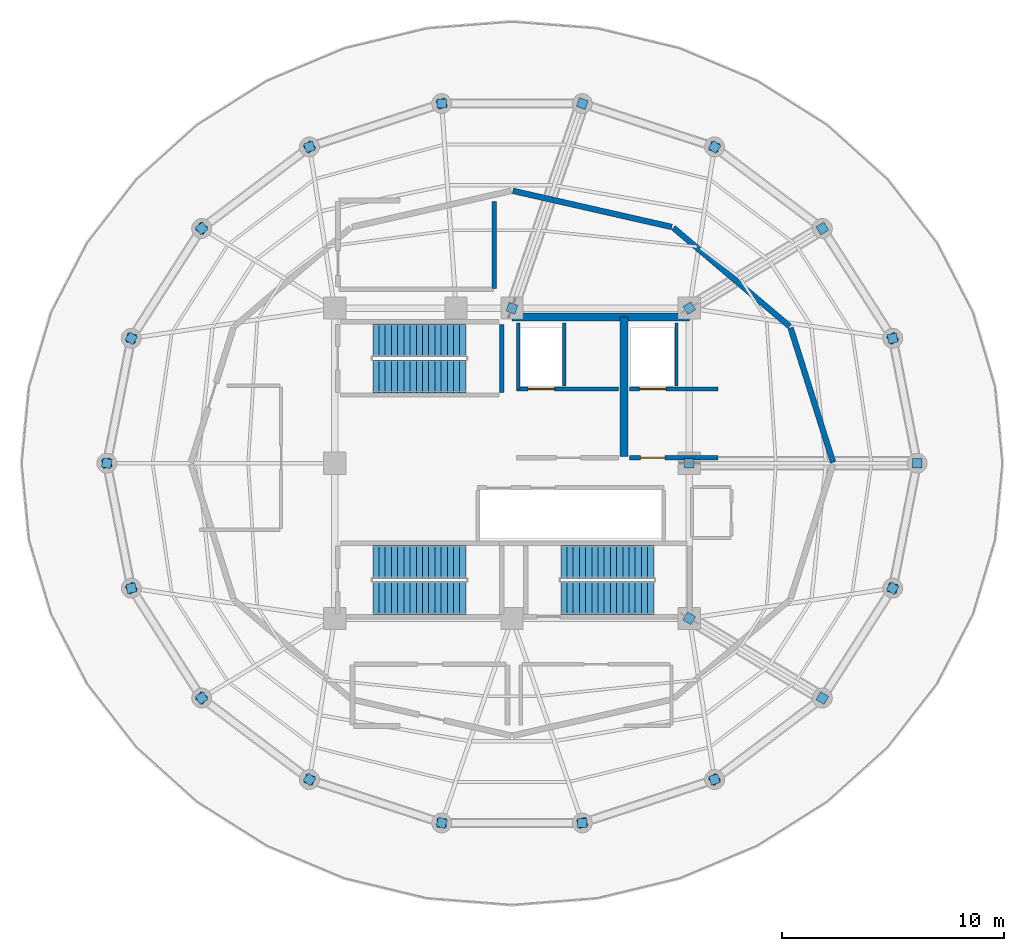
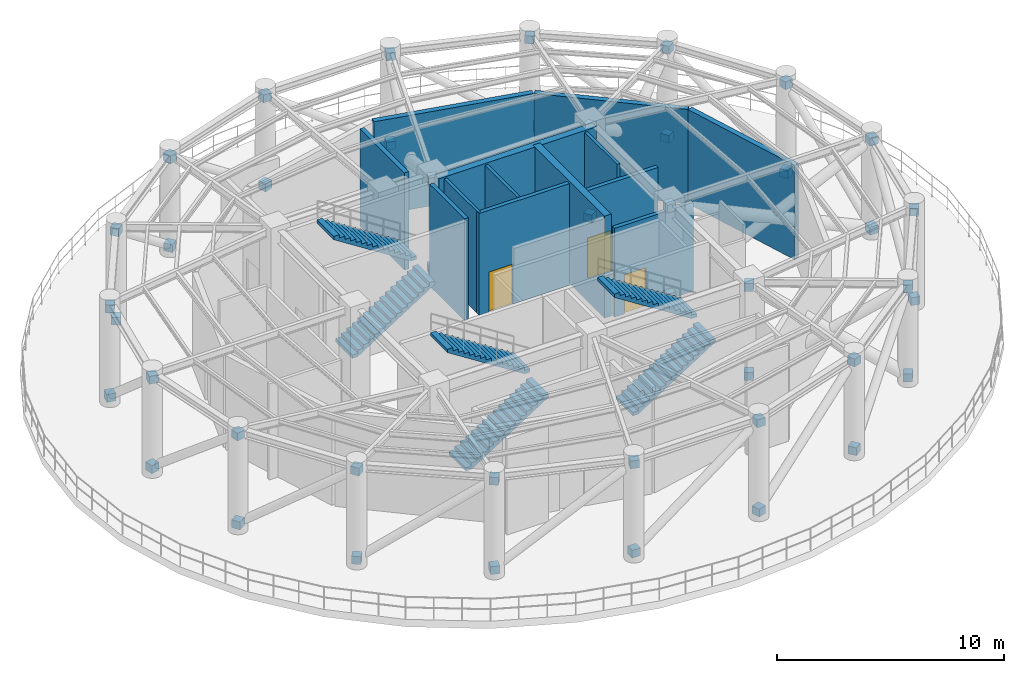
# One storey, part 5 of 8: 44 discrete accessories, 13 walls, 6 stair flights, 3 doors, 3 openings, 3 elements without a shape of their own.
"""IFC4 building model written with IfcOpenShell, lengths in metres."""

from ifc_helpers import new_model, si_unit, direction, frame, frame_2d, origin, origin_2d, place, context, subcontext, project, spatial, polyline, rectangle, outline, extrude, source, transform, mapped, material, layer, layer_set, type_object, element, fill, aggregate, save


model = new_model("IFC4")

# Units and contexts
model_context = context("Model", 3, precision=1e-05, world=origin(), true_north=direction((0.0, 1.0)))
body_context = subcontext(model_context, "Body", "Model", "MODEL_VIEW")
ifc_project = project(units=[si_unit("LENGTHUNIT", "METRE"), si_unit("AREAUNIT", "SQUARE_METRE"), si_unit("VOLUMEUNIT", "CUBIC_METRE"), si_unit("PLANEANGLEUNIT", "RADIAN"), si_unit("MASSUNIT", "GRAM", prefix="KILO")], contexts=[model_context])

# Site, building, storey
site_placement = place(None, origin())
site = spatial("IfcSite", under=ifc_project, at=site_placement, CompositionType="ELEMENT")
building_placement = place(site_placement, origin())
building = spatial("IfcBuilding", under=site, at=building_placement, Name="Kelanora Arch Commons", CompositionType="ELEMENT")
storey_placement = place(building_placement, frame((0.0, 0.0, 242.9599609375)))
storey = spatial("IfcBuildingStorey", under=building, at=storey_placement, Name="L62", CompositionType="ELEMENT", Elevation=242.9599609375)

# Walls
ifc_material_1 = material(Name="Autoclaved aerated concrete blockwork with fire plaster", Category="masonry")
ifc_layer_1 = layer(ifc_material_1, 0.14990234375)
ifc_layer_set_1 = layer_set([ifc_layer_1], Name="Autoclaved aerated concrete blockwork with fire plaster")
wall_type_1 = type_object("IfcWallType", Name="W-COMP-150", PredefinedType="PARTITIONING", material=ifc_layer_set_1)
wall_1_placement = place(storey_placement, frame((74.280029296875, 61.35009765625, 0.0), z_axis=(0.0, 0.0, 1.0), x_axis=(0.0, 1.0, 0.0)))
element("IfcWall", 1, at=wall_1_placement, inside=storey, type_object=wall_type_1, Name="Firefighting Lift 1 West Shaft Wall L62", PredefinedType="PARTITIONING", context=body_context, shape_type="SweptSolid", body=[
    extrude(rectangle(XDim=2.969970703125, YDim=0.14990234375, at=frame_2d((1.48486328125, 0.0))), origin(), (0.0, 0.0, 1.0), 5.469970703125),
])
for number, where, z_axis, x_axis, name in (
    (2, (76.360107421875, 61.47998046875, 0.0), (0.0, 0.0, 1.0), (0.0, 1.0, 0.0), "Firefighting Lift 1 East Shaft Wall L62"),
    (3, (81.419921875, 61.47998046875, 0.0), (0.0, 0.0, 1.0), (0.0, 1.0, 0.0), "Firefighting Lift 2 East Shaft Wall L62"),
):
    element("IfcWall", number, at=place(storey_placement, frame(where, z_axis=z_axis, x_axis=x_axis)), inside=storey, type_object=wall_type_1, Name=name, PredefinedType="PARTITIONING", context=body_context, shape_type="SweptSolid", body=[
        extrude(rectangle(XDim=2.840087890625, YDim=0.14990234375, at=frame_2d((1.419921875, 0.0))), origin(), (0.0, 0.0, 1.0), 5.469970703125),
    ])
ifc_material_2 = material(Name="Concrete C50/60", Category="concrete")
ifc_layer_2 = layer(ifc_material_2, 0.35009765625)
ifc_layer_set_2 = layer_set([ifc_layer_2], Name="Concrete C50/60")
wall_type_2 = type_object("IfcWallType", Name="W-CORE-350", PredefinedType="SHEAR", material=ifc_layer_set_2)
wall_2_placement = place(storey_placement, frame((74.0, 64.60009765625, 0.0), z_axis=(0.0, 0.0, 1.0), x_axis=(1.0, 0.0, 0.0)))
element("IfcWall", 4, at=wall_2_placement, inside=storey, type_object=wall_type_2, Name="Core Shear Spine L62-CN-E", PredefinedType="SHEAR", context=body_context, shape_type="SweptSolid", body=[
    extrude(rectangle(XDim=8.0, YDim=0.35009765625, at=frame_2d((4.0, 0.0))), origin(), (0.0, 0.0, 1.0), 5.47998046875),
])
wall_3_placement = place(storey_placement, frame((79.050048828125, 58.300048828125, 0.0), z_axis=(0.0, 0.0, 1.0), x_axis=(0.0, 1.0, 0.0)))
element("IfcWall", 5, at=wall_3_placement, inside=storey, type_object=wall_type_2, Name="Core Shear Spine L62-CE-N", PredefinedType="SHEAR", context=body_context, shape_type="SweptSolid", body=[
    extrude(rectangle(XDim=6.300048828125, YDim=0.35009765625, at=frame_2d((3.14990234375, 0.0))), origin(), (0.0, 0.0, 1.0), 5.47998046875),
])
ifc_material_3 = material(Name="Precast concrete C40/50 with terracotta rainscreen", Category="masonry")
ifc_layer_3 = layer(ifc_material_3, 0.260009765625)
ifc_layer_set_3 = layer_set([ifc_layer_3], Name="Precast concrete C40/50 with terracotta rainscreen")
wall_type_3 = type_object("IfcWallType", Name="W-EXT-TC", PredefinedType="SOLIDWALL", material=ifc_layer_set_3)
wall_4_placement = place(storey_placement, frame((88.488037109375, 58.0380859375, 0.0), z_axis=(0.0, 0.0, 1.0), x_axis=(-0.301228589113, 0.95355195826, 0.0)))
element("IfcWall", 6, at=wall_4_placement, inside=storey, type_object=wall_type_3, Name="Wind-Floor Plant/Refuge Enclosure Wall L62-01", PredefinedType="SOLIDWALL", context=body_context, shape_type="SweptSolid", body=[
    extrude(rectangle(XDim=6.36962890625, YDim=0.260009765625, at=frame_2d((3.184814453125, 0.0))), origin(), (0.0, 0.0, 1.0), 5.06005859375),
])
wall_5_placement = place(storey_placement, frame((86.52685546875, 64.17578125, 0.0), z_axis=(0.0, 0.0, 1.0), x_axis=(-0.762580748943, 0.646893037018, 0.0)))
element("IfcWall", 7, at=wall_5_placement, inside=storey, type_object=wall_type_3, Name="Wind-Floor Plant/Refuge Enclosure Wall L62-02", PredefinedType="SOLIDWALL", context=body_context, shape_type="SweptSolid", body=[
    extrude(rectangle(XDim=6.879638671875, YDim=0.260009765625, at=frame_2d((3.43994140625, 0.0))), origin(), (0.0, 0.0, 1.0), 5.06005859375),
])
wall_6_placement = place(storey_placement, frame((81.2109375, 68.660888671875, 0.0), z_axis=(0.0, 0.0, 1.0), x_axis=(-0.975128290494, 0.221641189938, 0.0)))
element("IfcWall", 8, at=wall_6_placement, inside=storey, type_object=wall_type_3, Name="Wind-Floor Plant/Refuge Enclosure Wall L62-03", PredefinedType="SOLIDWALL", context=body_context, shape_type="SweptSolid", body=[
    extrude(rectangle(XDim=7.354736328125, YDim=0.260009765625, at=frame_2d((3.67724609375, 0.0))), origin(), (0.0, 0.0, 1.0), 5.06005859375),
])

# Wall, opening, door
ifc_material_4 = material(Name="Concrete C40/50", Category="concrete")
ifc_layer_4 = layer(ifc_material_4, 0.199951171875)
ifc_layer_set_4 = layer_set([ifc_layer_4], Name="Concrete C40/50")
wall_type_4 = type_object("IfcWallType", Name="W-FFL-200", PredefinedType="SOLIDWALL", material=ifc_layer_set_4)
wall_7_placement = place(storey_placement, frame((74.199951171875, 61.35009765625, 0.0), z_axis=(0.0, 0.0, 1.0), x_axis=(1.0, 0.0, 0.0)))
wall_7 = element("IfcWall", 9, at=wall_7_placement, inside=storey, type_object=wall_type_4, Name="Firefighting Lift 1 Shaft Front L62", PredefinedType="SOLIDWALL", context=body_context, shape_type="SweptSolid", body=[
    extrude(rectangle(XDim=4.60009765625, YDim=0.199951171875, at=frame_2d((2.300048828125, 0.0))), origin(), (0.0, 0.0, 1.0), 5.469970703125),
])
opening_1_placement = place(wall_7_placement, frame((0.52001953125, 0.0, 0.0)))
opening_1 = element("IfcOpeningElement", 10, at=opening_1_placement, cuts=wall_7, Name="Opening LD-FF", PredefinedType="OPENING", context=body_context, shape_type="SweptSolid", body=[
    extrude(rectangle(XDim=1.199951171875, YDim=2.14990234375, at=frame_2d((0.60009765625, 1.074951171875))), frame((0.0, 0.10986328125, 0.0), z_axis=(0.0, -1.0, 0.0), x_axis=(1.0, 0.0, 0.0)), (0.0, 0.0, 1.0), 0.219970703125),
])
ifc_material_5 = material(Name="Fire-rated firefighters lift sliding landing door")
door_type_1 = type_object("IfcDoorType", Name="D-LIFT-FF", OperationType="NOTDEFINED", PredefinedType="DOOR", material=ifc_material_5)
door_1_placement = place(opening_1_placement, origin())
door_1 = element("IfcDoor", 11, at=door_1_placement, inside=storey, type_object=door_type_1, Name="Firefighting Lift LF-FF1 Landing Door L62", OperationType="DOUBLE_DOOR_SLIDING", OverallHeight=2.14990234375, OverallWidth=1.199951171875, PredefinedType="DOOR", context=body_context, shape_type="SweptSolid", body=[
    extrude(rectangle(XDim=1.199951171875, YDim=2.14990234375, at=frame_2d((0.60009765625, 1.074951171875))), frame((0.0, 0.02490234375, 0.0), z_axis=(0.0, -1.0, 0.0), x_axis=(1.0, 0.0, 0.0)), (0.0, 0.0, 1.0), 0.050048828125),
])
fill(opening_1, door_1)

wall_8_placement = place(storey_placement, frame((79.300048828125, 61.35009765625, 0.0), z_axis=(0.0, 0.0, 1.0), x_axis=(1.0, 0.0, 0.0)))
wall_8 = element("IfcWall", 12, at=wall_8_placement, inside=storey, type_object=wall_type_4, Name="Firefighting Lift 2 Shaft Front L62", PredefinedType="SOLIDWALL", context=body_context, shape_type="SweptSolid", body=[
    extrude(rectangle(XDim=4.0, YDim=0.199951171875, at=frame_2d((2.0, 0.0))), origin(), (0.0, 0.0, 1.0), 4.76513671875),
])
opening_2_placement = place(wall_8_placement, frame((0.449951171875, 0.0, 0.0)))
opening_2 = element("IfcOpeningElement", 13, at=opening_2_placement, cuts=wall_8, Name="Opening LD-FF", PredefinedType="OPENING", context=body_context, shape_type="SweptSolid", body=[
    extrude(rectangle(XDim=1.199951171875, YDim=2.14990234375, at=frame_2d((0.60009765625, 1.074951171875))), frame((0.0, 0.10986328125, 0.0), z_axis=(0.0, -1.0, 0.0), x_axis=(1.0, 0.0, 0.0)), (0.0, 0.0, 1.0), 0.219970703125),
])
door_2_placement = place(opening_2_placement, origin())
door_2 = element("IfcDoor", 14, at=door_2_placement, inside=storey, type_object=door_type_1, Name="Firefighting Lift LF-FF2 Landing Door L62", OperationType="DOUBLE_DOOR_SLIDING", OverallHeight=2.14990234375, OverallWidth=1.199951171875, PredefinedType="DOOR", context=body_context, shape_type="SweptSolid", body=[
    extrude(rectangle(XDim=1.199951171875, YDim=2.14990234375, at=frame_2d((0.60009765625, 1.074951171875))), frame((0.0, 0.02490234375, 0.0), z_axis=(0.0, -1.0, 0.0), x_axis=(1.0, 0.0, 0.0)), (0.0, 0.0, 1.0), 0.050048828125),
])
fill(opening_2, door_2)

wall_9_placement = place(storey_placement, frame((79.300048828125, 58.25, 0.0), z_axis=(0.0, 0.0, 1.0), x_axis=(1.0, 0.0, 0.0)))
wall_9 = element("IfcWall", 15, at=wall_9_placement, inside=storey, type_object=wall_type_4, Name="Firefighting Lobby 2 Enclosure Wall L62", PredefinedType="SOLIDWALL", context=body_context, shape_type="SweptSolid", body=[
    extrude(rectangle(XDim=4.0, YDim=0.199951171875, at=frame_2d((2.0, 0.0))), origin(), (0.0, 0.0, 1.0), 4.76513671875),
])
opening_3_placement = place(wall_9_placement, frame((0.5, 0.0, 0.0)))
opening_3 = element("IfcOpeningElement", 16, at=opening_3_placement, cuts=wall_9, Name="Opening D-FFL1", PredefinedType="OPENING", context=body_context, shape_type="SweptSolid", body=[
    extrude(rectangle(XDim=1.10009765625, YDim=2.10009765625, at=frame_2d((0.550048828125, 1.050048828125))), frame((0.0, 0.10986328125, 0.0), z_axis=(0.0, -1.0, 0.0), x_axis=(1.0, 0.0, 0.0)), (0.0, 0.0, 1.0), 0.219970703125),
])
ifc_material_6 = material(Name="Smoke-sealed firefighting lobby fire door")
door_type_2 = type_object("IfcDoorType", Name="D-FFL-110", OperationType="NOTDEFINED", PredefinedType="DOOR", material=ifc_material_6)
door_3_placement = place(opening_3_placement, frame((1.10009765625, 0.0, 0.0), z_axis=(0.0, 0.0, 1.0), x_axis=(-1.0, 0.0, 0.0)))
door_3 = element("IfcDoor", 17, at=door_3_placement, inside=storey, type_object=door_type_2, Name="Firefighting Lobby 2 Door L62", OperationType="SINGLE_SWING_RIGHT", OverallHeight=2.10009765625, OverallWidth=1.10009765625, PredefinedType="DOOR", context=body_context, shape_type="SweptSolid", body=[
    extrude(rectangle(XDim=1.10009765625, YDim=2.10009765625, at=frame_2d((0.550048828125, 1.050048828125))), frame((0.0, 0.02490234375, 0.0), z_axis=(0.0, -1.0, 0.0), x_axis=(1.0, 0.0, 0.0)), (0.0, 0.0, 1.0), 0.050048828125),
])
fill(opening_3, door_3)

# Walls
ifc_layer_5 = layer(ifc_material_4, 0.219970703125)
ifc_layer_set_5 = layer_set([ifc_layer_5], Name="Concrete C40/50")
wall_type_5 = type_object("IfcWallType", Name="W-REF-200", PredefinedType="SOLIDWALL", material=ifc_layer_set_5)
wall_10_placement = place(storey_placement, frame((73.199951171875, 65.889892578125, 0.0), z_axis=(0.0, 0.0, 1.0), x_axis=(0.0, 1.0, 0.0)))
element("IfcWall", 18, at=wall_10_placement, inside=storey, type_object=wall_type_5, Name="Protected Fire Refuge Holding Area L62-North Enclosure Partition 2", PredefinedType="SOLIDWALL", context=body_context, shape_type="SweptSolid", body=[
    extrude(rectangle(XDim=3.920166015625, YDim=0.219970703125, at=frame_2d((1.9599609375, 0.0))), origin(), (0.0, 0.0, 1.0), 5.22509765625),
])
ifc_layer_6 = layer(ifc_material_4, 0.199951171875)
ifc_layer_set_6 = layer_set([ifc_layer_6], Name="Concrete C40/50")
wall_type_6 = type_object("IfcWallType", Name="W-STAIR-200", PredefinedType="SHEAR", material=ifc_layer_set_6)
wall_11_placement = place(storey_placement, frame((73.5400390625, 61.199951171875, 0.0), z_axis=(0.0, 0.0, 1.0), x_axis=(0.0, 1.0, 0.0)))
element("IfcWall", 19, at=wall_11_placement, inside=storey, type_object=wall_type_6, Name="Stair ST-T1 Shaft Wall E L62", PredefinedType="SHEAR", context=body_context, shape_type="SweptSolid", body=[
    extrude(rectangle(XDim=3.070068359375, YDim=0.199951171875, at=frame_2d((1.53515625, 0.0))), origin(), (0.0, 0.0, 1.0), 5.47998046875),
])

# Stair, stair flights
stair_type = type_object("IfcStairType", Name="STR-DL-574", PredefinedType="HALF_TURN_STAIR", material=ifc_material_4)
stair_1_placement = place(storey_placement, origin())
stair_1 = element("IfcStair", 20, at=stair_1_placement, inside=storey, type_object=stair_type, Name="L62 ST-T1", PredefinedType="HALF_TURN_STAIR")
stair_flight_type = type_object("IfcStairFlightType", Name="FLT-DL-574", PredefinedType="STRAIGHT", material=ifc_material_4)
stair_flight_1_placement = place(storey_placement, frame((67.719970703125, 61.919921875, 0.0), z_axis=(0.0, 0.0, 1.0), x_axis=(1.0, 0.0, 0.0)))
stair_flight_1 = element("IfcStairFlight", 21, at=stair_flight_1_placement, type_object=stair_flight_type, Name="ST-T1 flight 1", NumberOfRisers=16, NumberOfTreads=15, PredefinedType="STRAIGHT", RiserHeight=0.179375, TreadLength=0.28, context=body_context, shape_type="SweptSolid", body=[
    extrude(outline(polyline([(0.0, 0.0), (0.0, 0.179443359375), (0.280029296875, 0.179443359375), (0.280029296875, 0.358642578125), (0.56005859375, 0.358642578125), (0.56005859375, 0.5380859375), (0.840087890625, 0.5380859375), (0.840087890625, 0.717529296875), (1.1201171875, 0.717529296875), (1.1201171875, 0.89697265625), (1.39990234375, 0.89697265625), (1.39990234375, 1.076171875), (1.679931640625, 1.076171875), (1.679931640625, 1.255615234375), (1.9599609375, 1.255615234375), (1.9599609375, 1.43505859375), (2.239990234375, 1.43505859375), (2.239990234375, 1.6142578125), (2.52001953125, 1.6142578125), (2.52001953125, 1.793701171875), (2.800048828125, 1.793701171875), (2.800048828125, 1.97314453125), (3.080078125, 1.97314453125), (3.080078125, 2.152587890625), (3.360107421875, 2.152587890625), (3.360107421875, 2.331787109375), (3.639892578125, 2.331787109375), (3.639892578125, 2.51123046875), (3.919921875, 2.51123046875), (3.919921875, 2.690673828125), (4.199951171875, 2.690673828125), (4.199951171875, 2.8701171875), (4.199951171875, 2.5126953125), (0.27783203125, 0.0), (0.0, 0.0)])), frame((0.0, 0.739990234375, 0.0), z_axis=(0.0, -1.0, 0.0), x_axis=(1.0, 0.0, 0.0)), (0.0, 0.0, 1.0), 1.47998046875),
])
stair_flight_2_placement = place(storey_placement, frame((71.919921875, 63.550048828125, 2.8701171875), z_axis=(0.0, 0.0, 1.0), x_axis=(-1.0, 0.0, 0.0)))
stair_flight_2 = element("IfcStairFlight", 22, at=stair_flight_2_placement, type_object=stair_flight_type, Name="ST-T1 flight 2", NumberOfRisers=16, NumberOfTreads=15, PredefinedType="STRAIGHT", RiserHeight=0.179375, TreadLength=0.28, context=body_context, shape_type="SweptSolid", body=[
    extrude(outline(polyline([(0.0, 0.0), (0.0, 0.179443359375), (0.280029296875, 0.179443359375), (0.280029296875, 0.358642578125), (0.56005859375, 0.358642578125), (0.56005859375, 0.5380859375), (0.840087890625, 0.5380859375), (0.840087890625, 0.717529296875), (1.1201171875, 0.717529296875), (1.1201171875, 0.89697265625), (1.39990234375, 0.89697265625), (1.39990234375, 1.076171875), (1.679931640625, 1.076171875), (1.679931640625, 1.255615234375), (1.9599609375, 1.255615234375), (1.9599609375, 1.43505859375), (2.239990234375, 1.43505859375), (2.239990234375, 1.6142578125), (2.52001953125, 1.6142578125), (2.52001953125, 1.793701171875), (2.800048828125, 1.793701171875), (2.800048828125, 1.97314453125), (3.080078125, 1.97314453125), (3.080078125, 2.152587890625), (3.360107421875, 2.152587890625), (3.360107421875, 2.331787109375), (3.639892578125, 2.331787109375), (3.639892578125, 2.51123046875), (3.919921875, 2.51123046875), (3.919921875, 2.690673828125), (4.199951171875, 2.690673828125), (4.199951171875, 2.8701171875), (4.199951171875, 2.5126953125), (0.27783203125, 0.0), (0.0, 0.0)])), frame((0.0, 0.739990234375, 0.0), z_axis=(0.0, -1.0, 0.0), x_axis=(1.0, 0.0, 0.0)), (0.0, 0.0, 1.0), 1.47998046875),
])
aggregate(stair_1, [stair_flight_1, stair_flight_2])

stair_2_placement = place(storey_placement, origin())
stair_2 = element("IfcStair", 23, at=stair_2_placement, inside=storey, type_object=stair_type, Name="L62 ST-T2", PredefinedType="HALF_TURN_STAIR")
stair_flight_3_placement = place(storey_placement, frame((76.199951171875, 51.919921875, 0.0), z_axis=(0.0, 0.0, 1.0), x_axis=(1.0, 0.0, 0.0)))
stair_flight_3 = element("IfcStairFlight", 24, at=stair_flight_3_placement, type_object=stair_flight_type, Name="ST-T2 flight 1", NumberOfRisers=16, NumberOfTreads=15, PredefinedType="STRAIGHT", RiserHeight=0.179375, TreadLength=0.28, context=body_context, shape_type="SweptSolid", body=[
    extrude(outline(polyline([(0.0, 0.0), (0.0, 0.179443359375), (0.280029296875, 0.179443359375), (0.280029296875, 0.358642578125), (0.56005859375, 0.358642578125), (0.56005859375, 0.5380859375), (0.840087890625, 0.5380859375), (0.840087890625, 0.717529296875), (1.1201171875, 0.717529296875), (1.1201171875, 0.89697265625), (1.39990234375, 0.89697265625), (1.39990234375, 1.076171875), (1.679931640625, 1.076171875), (1.679931640625, 1.255615234375), (1.9599609375, 1.255615234375), (1.9599609375, 1.43505859375), (2.239990234375, 1.43505859375), (2.239990234375, 1.6142578125), (2.52001953125, 1.6142578125), (2.52001953125, 1.793701171875), (2.800048828125, 1.793701171875), (2.800048828125, 1.97314453125), (3.080078125, 1.97314453125), (3.080078125, 2.152587890625), (3.360107421875, 2.152587890625), (3.360107421875, 2.331787109375), (3.639892578125, 2.331787109375), (3.639892578125, 2.51123046875), (3.919921875, 2.51123046875), (3.919921875, 2.690673828125), (4.199951171875, 2.690673828125), (4.199951171875, 2.8701171875), (4.199951171875, 2.5126953125), (0.27783203125, 0.0), (0.0, 0.0)])), frame((0.0, 0.739990234375, 0.0), z_axis=(0.0, -1.0, 0.0), x_axis=(1.0, 0.0, 0.0)), (0.0, 0.0, 1.0), 1.47998046875),
])
stair_flight_4_placement = place(storey_placement, frame((80.39990234375, 53.550048828125, 2.8701171875), z_axis=(0.0, 0.0, 1.0), x_axis=(-1.0, 0.0, 0.0)))
stair_flight_4 = element("IfcStairFlight", 25, at=stair_flight_4_placement, type_object=stair_flight_type, Name="ST-T2 flight 2", NumberOfRisers=16, NumberOfTreads=15, PredefinedType="STRAIGHT", RiserHeight=0.179375, TreadLength=0.28, context=body_context, shape_type="SweptSolid", body=[
    extrude(outline(polyline([(0.0, 0.0), (0.0, 0.179443359375), (0.280029296875, 0.179443359375), (0.280029296875, 0.358642578125), (0.56005859375, 0.358642578125), (0.56005859375, 0.5380859375), (0.840087890625, 0.5380859375), (0.840087890625, 0.717529296875), (1.1201171875, 0.717529296875), (1.1201171875, 0.89697265625), (1.39990234375, 0.89697265625), (1.39990234375, 1.076171875), (1.679931640625, 1.076171875), (1.679931640625, 1.255615234375), (1.9599609375, 1.255615234375), (1.9599609375, 1.43505859375), (2.239990234375, 1.43505859375), (2.239990234375, 1.6142578125), (2.52001953125, 1.6142578125), (2.52001953125, 1.793701171875), (2.800048828125, 1.793701171875), (2.800048828125, 1.97314453125), (3.080078125, 1.97314453125), (3.080078125, 2.152587890625), (3.360107421875, 2.152587890625), (3.360107421875, 2.331787109375), (3.639892578125, 2.331787109375), (3.639892578125, 2.51123046875), (3.919921875, 2.51123046875), (3.919921875, 2.690673828125), (4.199951171875, 2.690673828125), (4.199951171875, 2.8701171875), (4.199951171875, 2.5126953125), (0.27783203125, 0.0), (0.0, 0.0)])), frame((0.0, 0.739990234375, 0.0), z_axis=(0.0, -1.0, 0.0), x_axis=(1.0, 0.0, 0.0)), (0.0, 0.0, 1.0), 1.47998046875),
])
aggregate(stair_2, [stair_flight_3, stair_flight_4])

stair_3_placement = place(storey_placement, origin())
stair_3 = element("IfcStair", 26, at=stair_3_placement, inside=storey, type_object=stair_type, Name="L62 ST-T3", PredefinedType="HALF_TURN_STAIR")
stair_flight_5_placement = place(storey_placement, frame((67.719970703125, 51.919921875, 0.0), z_axis=(0.0, 0.0, 1.0), x_axis=(1.0, 0.0, 0.0)))
stair_flight_5 = element("IfcStairFlight", 27, at=stair_flight_5_placement, type_object=stair_flight_type, Name="ST-T3 flight 1", NumberOfRisers=16, NumberOfTreads=15, PredefinedType="STRAIGHT", RiserHeight=0.179375, TreadLength=0.28, context=body_context, shape_type="SweptSolid", body=[
    extrude(outline(polyline([(0.0, 0.0), (0.0, 0.179443359375), (0.280029296875, 0.179443359375), (0.280029296875, 0.358642578125), (0.56005859375, 0.358642578125), (0.56005859375, 0.5380859375), (0.840087890625, 0.5380859375), (0.840087890625, 0.717529296875), (1.1201171875, 0.717529296875), (1.1201171875, 0.89697265625), (1.39990234375, 0.89697265625), (1.39990234375, 1.076171875), (1.679931640625, 1.076171875), (1.679931640625, 1.255615234375), (1.9599609375, 1.255615234375), (1.9599609375, 1.43505859375), (2.239990234375, 1.43505859375), (2.239990234375, 1.6142578125), (2.52001953125, 1.6142578125), (2.52001953125, 1.793701171875), (2.800048828125, 1.793701171875), (2.800048828125, 1.97314453125), (3.080078125, 1.97314453125), (3.080078125, 2.152587890625), (3.360107421875, 2.152587890625), (3.360107421875, 2.331787109375), (3.639892578125, 2.331787109375), (3.639892578125, 2.51123046875), (3.919921875, 2.51123046875), (3.919921875, 2.690673828125), (4.199951171875, 2.690673828125), (4.199951171875, 2.8701171875), (4.199951171875, 2.5126953125), (0.27783203125, 0.0), (0.0, 0.0)])), frame((0.0, 0.739990234375, 0.0), z_axis=(0.0, -1.0, 0.0), x_axis=(1.0, 0.0, 0.0)), (0.0, 0.0, 1.0), 1.47998046875),
])
stair_flight_6_placement = place(storey_placement, frame((71.919921875, 53.550048828125, 2.8701171875), z_axis=(0.0, 0.0, 1.0), x_axis=(-1.0, 0.0, 0.0)))
stair_flight_6 = element("IfcStairFlight", 28, at=stair_flight_6_placement, type_object=stair_flight_type, Name="ST-T3 flight 2", NumberOfRisers=16, NumberOfTreads=15, PredefinedType="STRAIGHT", RiserHeight=0.179375, TreadLength=0.28, context=body_context, shape_type="SweptSolid", body=[
    extrude(outline(polyline([(0.0, 0.0), (0.0, 0.179443359375), (0.280029296875, 0.179443359375), (0.280029296875, 0.358642578125), (0.56005859375, 0.358642578125), (0.56005859375, 0.5380859375), (0.840087890625, 0.5380859375), (0.840087890625, 0.717529296875), (1.1201171875, 0.717529296875), (1.1201171875, 0.89697265625), (1.39990234375, 0.89697265625), (1.39990234375, 1.076171875), (1.679931640625, 1.076171875), (1.679931640625, 1.255615234375), (1.9599609375, 1.255615234375), (1.9599609375, 1.43505859375), (2.239990234375, 1.43505859375), (2.239990234375, 1.6142578125), (2.52001953125, 1.6142578125), (2.52001953125, 1.793701171875), (2.800048828125, 1.793701171875), (2.800048828125, 1.97314453125), (3.080078125, 1.97314453125), (3.080078125, 2.152587890625), (3.360107421875, 2.152587890625), (3.360107421875, 2.331787109375), (3.639892578125, 2.331787109375), (3.639892578125, 2.51123046875), (3.919921875, 2.51123046875), (3.919921875, 2.690673828125), (4.199951171875, 2.690673828125), (4.199951171875, 2.8701171875), (4.199951171875, 2.5126953125), (0.27783203125, 0.0), (0.0, 0.0)])), frame((0.0, 0.739990234375, 0.0), z_axis=(0.0, -1.0, 0.0), x_axis=(1.0, 0.0, 0.0)), (0.0, 0.0, 1.0), 1.47998046875),
])
aggregate(stair_3, [stair_flight_5, stair_flight_6])

# Discrete accessories
ifc_material_7 = material(Name="Steel S355", Category="steel")
discrete_accessory_type = type_object("IfcDiscreteAccessoryType", Name="ACC-BRC-CONN", PredefinedType="BRACKET", material=ifc_material_7)
shared_shape = source(origin(), body_context, "Body", "SweptSolid", [
    extrude(rectangle(XDim=0.419921875, YDim=0.419921875, at=origin_2d()), origin(), (0.0, 0.0, 1.0), 0.419921875),
])
for number, where, z_axis, x_axis, name in (
    (29, (82.0, 51.0, 0.14013671875), (0.0, 0.0, 1.0), (0.858064905724, -0.513541252058, 0.0), "Brace and Strut Gusset End Connection 0173"),
    (30, (88.00341796875, 47.406982421875, 4.920166015625), (0.0, 0.0, 1.0), (0.858064905724, -0.513541252058, 0.0), "Brace and Strut Gusset End Connection 0174"),
    (31, (82.0, 51.0, 4.920166015625), (0.0, 0.0, 1.0), (0.858064905724, -0.513541252058, 0.0), "Brace and Strut Gusset End Connection 0175"),
    (32, (88.00341796875, 47.406982421875, 0.14013671875), (0.0, 0.0, 1.0), (0.858064905724, -0.513541252058, 0.0), "Brace and Strut Gusset End Connection 0176"),
    (33, (82.0, 58.0, 0.14013671875), (0.0, 0.0, 1.0), (1.0, 0.0, 0.0), "Brace and Strut Gusset End Connection 0177"),
    (34, (92.280029296875, 58.0, 4.920166015625), (0.0, 0.0, 1.0), (1.0, 0.0, 0.0), "Brace and Strut Gusset End Connection 0178"),
    (35, (82.0, 58.0, 4.920166015625), (0.0, 0.0, 1.0), (1.0, 0.0, 0.0), "Brace and Strut Gusset End Connection 0179"),
    (36, (92.280029296875, 58.0, 0.14013671875), (0.0, 0.0, 1.0), (1.0, 0.0, 0.0), "Brace and Strut Gusset End Connection 0180"),
    (37, (82.0, 65.0, 0.14013671875), (0.0, 0.0, 1.0), (0.858064905724, 0.513541252058, 0.0), "Brace and Strut Gusset End Connection 0181"),
    (38, (88.00341796875, 68.593017578125, 4.920166015625), (0.0, 0.0, 1.0), (0.858064905724, 0.513541252058, 0.0), "Brace and Strut Gusset End Connection 0182"),
    (39, (82.0, 65.0, 4.920166015625), (0.0, 0.0, 1.0), (0.858064905724, 0.513541252058, 0.0), "Brace and Strut Gusset End Connection 0183"),
    (40, (88.00341796875, 68.593017578125, 0.14013671875), (0.0, 0.0, 1.0), (0.858064905724, 0.513541252058, 0.0), "Brace and Strut Gusset End Connection 0184"),
    (41, (74.0, 65.0, 0.14013671875), (0.0, 0.0, 1.0), (0.325238086383, 0.945632162717, 0.0), "Brace and Strut Gusset End Connection 0185"),
    (42, (77.17431640625, 74.2294921875, 4.920166015625), (0.0, 0.0, 1.0), (0.325238086383, 0.945632162717, 0.0), "Brace and Strut Gusset End Connection 0186"),
    (43, (74.0, 65.0, 4.920166015625), (0.0, 0.0, 1.0), (0.325238086383, 0.945632162717, 0.0), "Brace and Strut Gusset End Connection 0187"),
    (44, (77.17431640625, 74.2294921875, 0.14013671875), (0.0, 0.0, 1.0), (0.325238086383, 0.945632162717, 0.0), "Brace and Strut Gusset End Connection 0188"),
    (45, (91.177490234375, 63.636474609375, 4.920166015625), (0.0, 0.0, 1.0), (-0.192008136522, 0.98139333374, 0.0), "Brace and Strut Gusset End Connection 0189"),
    (46, (91.177490234375, 63.636474609375, 0.14013671875), (0.0, 0.0, 1.0), (-0.539358796389, 0.842076058773, 0.0), "Brace and Strut Gusset End Connection 0190"),
    (47, (83.139892578125, 72.272216796875, 4.920166015625), (0.0, 0.0, 1.0), (-0.797478637023, 0.603347183213, 0.0), "Brace and Strut Gusset End Connection 0191"),
    (48, (83.139892578125, 72.272216796875, 0.14013671875), (0.0, 0.0, 1.0), (-0.950135459478, 0.311837471518, 0.0), "Brace and Strut Gusset End Connection 0192"),
    (49, (70.82568359375, 74.2294921875, 4.920166015625), (0.0, 0.0, 1.0), (-1.0, 0.0, 0.0), "Brace and Strut Gusset End Connection 0193"),
    (50, (70.82568359375, 74.2294921875, 0.14013671875), (0.0, 0.0, 1.0), (-0.950135459478, -0.311837471518, 0.0), "Brace and Strut Gusset End Connection 0194"),
    (51, (64.860107421875, 72.272216796875, 4.920166015625), (0.0, 0.0, 1.0), (-0.950135459478, -0.311837471518, 0.0), "Brace and Strut Gusset End Connection 0195"),
    (52, (64.860107421875, 72.272216796875, 0.14013671875), (0.0, 0.0, 1.0), (-0.797478637023, -0.603347183213, 0.0), "Brace and Strut Gusset End Connection 0196"),
    (53, (59.99658203125, 68.593017578125, 4.920166015625), (0.0, 0.0, 1.0), (-0.797478637023, -0.603347183213, 0.0), "Brace and Strut Gusset End Connection 0197"),
    (54, (59.99658203125, 68.593017578125, 0.14013671875), (0.0, 0.0, 1.0), (-0.539358796389, -0.842076058773, 0.0), "Brace and Strut Gusset End Connection 0198"),
    (55, (56.822509765625, 63.636474609375, 4.920166015625), (0.0, 0.0, 1.0), (-0.539358796389, -0.842076058773, 0.0), "Brace and Strut Gusset End Connection 0199"),
    (56, (56.822509765625, 63.636474609375, 0.14013671875), (0.0, 0.0, 1.0), (-0.192008136522, -0.98139333374, 0.0), "Brace and Strut Gusset End Connection 0200"),
    (57, (55.719970703125, 58.0, 4.920166015625), (0.0, 0.0, 1.0), (-0.192008136522, -0.98139333374, 0.0), "Brace and Strut Gusset End Connection 0201"),
    (58, (55.719970703125, 58.0, 0.14013671875), (0.0, 0.0, 1.0), (0.192008136522, -0.98139333374, 0.0), "Brace and Strut Gusset End Connection 0202"),
    (59, (56.822509765625, 52.363525390625, 4.920166015625), (0.0, 0.0, 1.0), (0.192008136522, -0.98139333374, 0.0), "Brace and Strut Gusset End Connection 0203"),
    (60, (56.822509765625, 52.363525390625, 0.14013671875), (0.0, 0.0, 1.0), (0.539358796389, -0.842076058773, 0.0), "Brace and Strut Gusset End Connection 0204"),
    (61, (59.99658203125, 47.406982421875, 4.920166015625), (0.0, 0.0, 1.0), (0.539358796389, -0.842076058773, 0.0), "Brace and Strut Gusset End Connection 0205"),
    (62, (59.99658203125, 47.406982421875, 0.14013671875), (0.0, 0.0, 1.0), (0.797478637023, -0.603347183213, 0.0), "Brace and Strut Gusset End Connection 0206"),
    (63, (64.860107421875, 43.727783203125, 4.920166015625), (0.0, 0.0, 1.0), (0.797478637023, -0.603347183213, 0.0), "Brace and Strut Gusset End Connection 0207"),
    (64, (64.860107421875, 43.727783203125, 0.14013671875), (0.0, 0.0, 1.0), (0.950135459478, -0.311837471518, 0.0), "Brace and Strut Gusset End Connection 0208"),
    (65, (70.82568359375, 41.7705078125, 4.920166015625), (0.0, 0.0, 1.0), (0.950135459478, -0.311837471518, 0.0), "Brace and Strut Gusset End Connection 0209"),
    (66, (70.82568359375, 41.7705078125, 0.14013671875), (0.0, 0.0, 1.0), (1.0, 0.0, 0.0), "Brace and Strut Gusset End Connection 0210"),
    (67, (77.17431640625, 41.7705078125, 4.920166015625), (0.0, 0.0, 1.0), (1.0, 0.0, 0.0), "Brace and Strut Gusset End Connection 0211"),
    (68, (77.17431640625, 41.7705078125, 0.14013671875), (0.0, 0.0, 1.0), (0.950135459478, 0.311837471518, 0.0), "Brace and Strut Gusset End Connection 0212"),
    (69, (83.139892578125, 43.727783203125, 4.920166015625), (0.0, 0.0, 1.0), (0.950135459478, 0.311837471518, 0.0), "Brace and Strut Gusset End Connection 0213"),
    (70, (83.139892578125, 43.727783203125, 0.14013671875), (0.0, 0.0, 1.0), (0.797478637023, 0.603347183213, 0.0), "Brace and Strut Gusset End Connection 0214"),
    (71, (91.177490234375, 52.363525390625, 4.920166015625), (0.0, 0.0, 1.0), (0.539358796389, 0.842076058773, 0.0), "Brace and Strut Gusset End Connection 0215"),
    (72, (91.177490234375, 52.363525390625, 0.14013671875), (0.0, 0.0, 1.0), (0.192008136522, 0.98139333374, 0.0), "Brace and Strut Gusset End Connection 0216"),
):
    element("IfcDiscreteAccessory", number, at=place(storey_placement, frame(where, z_axis=z_axis, x_axis=x_axis)), inside=storey, type_object=discrete_accessory_type, Name=name, PredefinedType="BRACKET", context=body_context, shape_type="MappedRepresentation", body=[
        mapped(shared_shape, transform((0.0, 0.0, 0.0), scale=1.0)),
    ])

save(model, "model.ifc")
